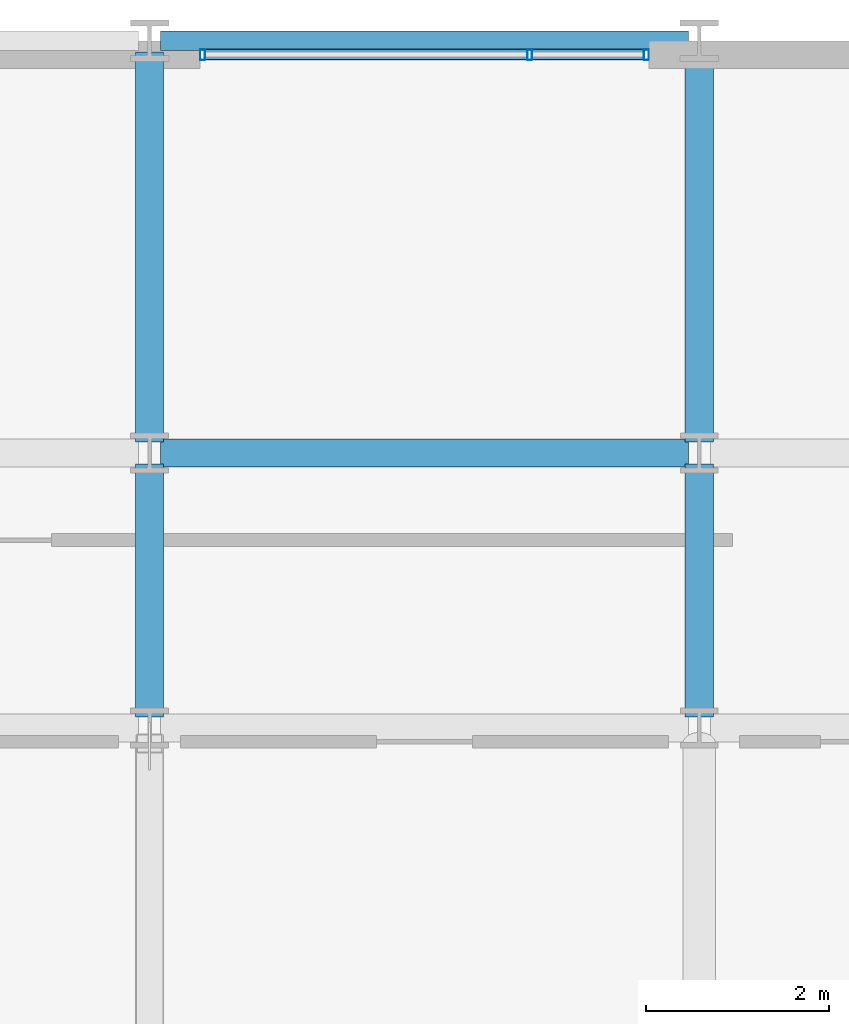
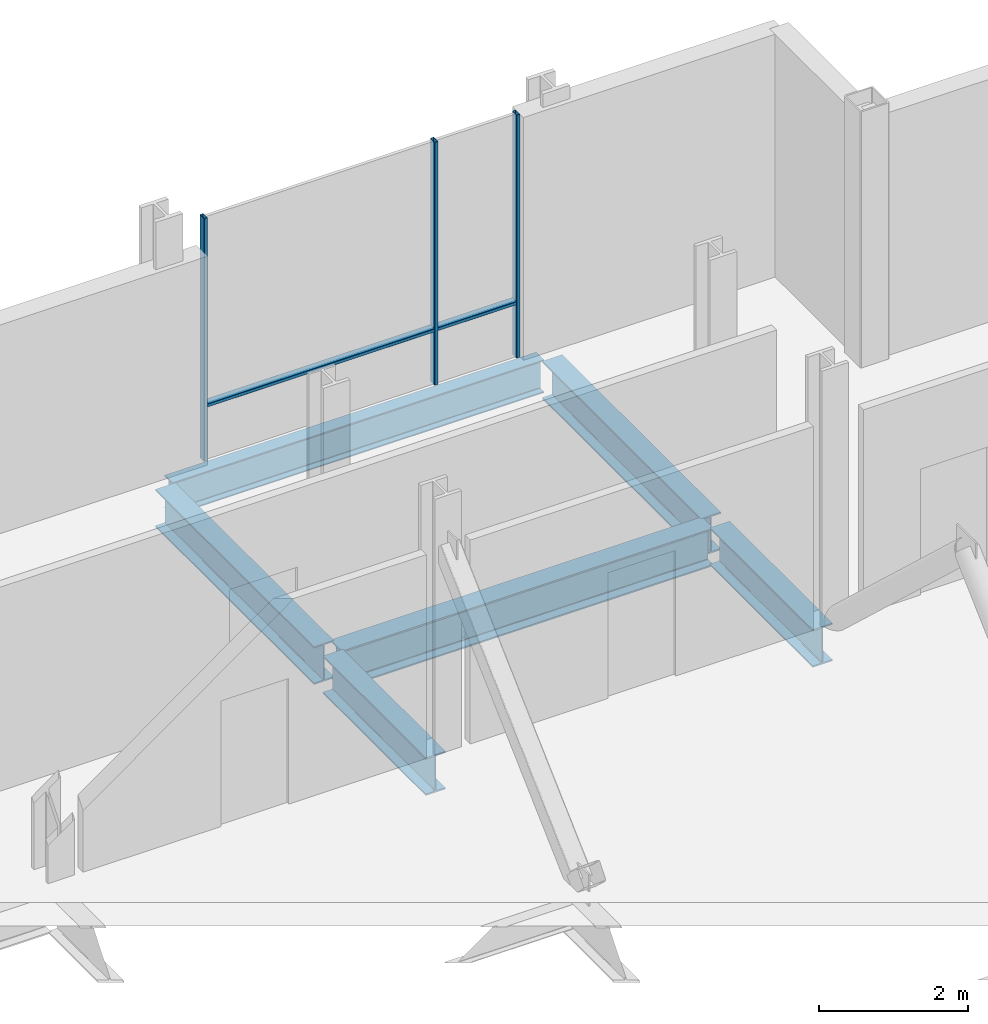
# One storey, part 22 of 32: 6 beams, 5 members, 1 element without a shape of its own.
"""IFC4 building model written with IfcOpenShell, lengths in metres."""

from ifc_helpers import new_model, si_unit, direction, frame, origin, origin_2d, place, context, subcontext, project, spatial, hollow_rectangle, i_section, extrude, material, layer, layer_set, material_profile, profile_set, type_object, element, aggregate, save


model = new_model("IFC4")

# Units and contexts
model_context = context("Model", 3, precision=1e-05, world=origin(), true_north=direction((0.0, 1.0)))
body_context = subcontext(model_context, "Body", "Model", "MODEL_VIEW")
ifc_project = project(units=[si_unit("LENGTHUNIT", "METRE"), si_unit("AREAUNIT", "SQUARE_METRE"), si_unit("VOLUMEUNIT", "CUBIC_METRE"), si_unit("PLANEANGLEUNIT", "RADIAN"), si_unit("MASSUNIT", "GRAM", prefix="KILO")], contexts=[model_context])

# Site, building, storey
site_placement = place(None, origin())
site = spatial("IfcSite", under=ifc_project, at=site_placement, CompositionType="ELEMENT")
building_placement = place(site_placement, origin())
building = spatial("IfcBuilding", under=site, at=building_placement, Name="Brevholm Reach", CompositionType="ELEMENT")
storey_placement = place(building_placement, frame((0.0, 0.0, 96.199951171875)))
storey = spatial("IfcBuildingStorey", under=building, at=storey_placement, Name="L28", CompositionType="ELEMENT", Elevation=96.199951171875)

# Beams
ifc_material_1 = material(Name="Structural Steel S355J2", Category="steel")
ifc_material_profile_1 = material_profile(ifc_material_1, i_section(OverallWidth=0.210693359375, OverallDepth=0.53955078125, WebThickness=0.01171875, FlangeThickness=0.018798828125, FilletRadius=0.0126953125, at=origin_2d()), Name="UKB 533x210x109")
ifc_profile_set_1 = profile_set([ifc_material_profile_1], Name="Structural Steel S355J2")
beam_type_1 = type_object("IfcBeamType", Name="BM-SP539", PredefinedType="SPANDREL", material=ifc_profile_set_1)
beam_1_placement = place(storey_placement, frame((48.1201171875, 31.0, -0.52978515625), z_axis=(1.0, 0.0, 0.0), x_axis=(0.0, 1.0, 0.0)))
element("IfcBeam", 1, at=beam_1_placement, inside=storey, type_object=beam_type_1, Name="L28 SP-01B Framing Beam", PredefinedType="SPANDREL", context=body_context, shape_type="SweptSolid", body=[
    extrude(i_section(OverallWidth=0.210693359375, OverallDepth=0.53955078125, WebThickness=0.01171875, FlangeThickness=0.018798828125, FilletRadius=0.0126953125, at=origin_2d()), origin(), (0.0, 0.0, 1.0), 5.759765625),
])
ifc_material_2 = material(Name="Structural Steel S355J2", Category="steel")
ifc_material_profile_2 = material_profile(ifc_material_2, i_section(OverallWidth=0.30712890625, OverallDepth=0.6201171875, WebThickness=0.01416015625, FlangeThickness=0.023681640625, FilletRadius=0.0166015625, at=origin_2d()), Name="UKB 610x305x179")
ifc_profile_set_2 = profile_set([ifc_material_profile_2], Name="Structural Steel S355J2")
beam_type_2 = type_object("IfcBeamType", Name="BM-UKB610H", PredefinedType="USERDEFINED", material=ifc_profile_set_2)
beam_2_placement = place(storey_placement, frame((48.1201171875, 26.5, -0.570068359375), z_axis=(1.0, 0.0, 0.0), x_axis=(0.0, 1.0, 0.0)))
element("IfcBeam", 2, at=beam_2_placement, inside=storey, type_object=beam_type_2, Name="L28 G-06 Framing Beam", ObjectType="GIRDER", PredefinedType="USERDEFINED", context=body_context, shape_type="SweptSolid", body=[
    extrude(i_section(OverallWidth=0.30712890625, OverallDepth=0.6201171875, WebThickness=0.01416015625, FlangeThickness=0.023681640625, FilletRadius=0.0166015625, at=origin_2d()), origin(), (0.0, 0.0, 1.0), 5.759765625),
])
beam_3_placement = place(storey_placement, frame((48.0, 23.6201171875, -0.570068359375), z_axis=(0.0, 1.0, 0.0), x_axis=(-1.0, 0.0, 0.0)))
element("IfcBeam", 3, at=beam_3_placement, inside=storey, type_object=beam_type_2, Name="L28 G-06 Framing Beam", ObjectType="GIRDER", PredefinedType="USERDEFINED", context=body_context, shape_type="SweptSolid", body=[
    extrude(i_section(OverallWidth=0.30712890625, OverallDepth=0.6201171875, WebThickness=0.01416015625, FlangeThickness=0.023681640625, FilletRadius=0.0166015625, at=origin_2d()), origin(), (0.0, 0.0, 1.0), 2.759765625),
])
beam_4_placement = place(storey_placement, frame((48.0, 26.6201171875, -0.570068359375), z_axis=(0.0, 1.0, 0.0), x_axis=(-1.0, 0.0, 0.0)))
element("IfcBeam", 4, at=beam_4_placement, inside=storey, type_object=beam_type_2, Name="L28 G-06 Framing Beam", ObjectType="GIRDER", PredefinedType="USERDEFINED", context=body_context, shape_type="SweptSolid", body=[
    extrude(i_section(OverallWidth=0.30712890625, OverallDepth=0.6201171875, WebThickness=0.01416015625, FlangeThickness=0.023681640625, FilletRadius=0.0166015625, at=origin_2d()), origin(), (0.0, 0.0, 1.0), 4.259765625),
])
beam_5_placement = place(storey_placement, frame((54.0, 23.6201171875, -0.570068359375), z_axis=(0.0, 1.0, 0.0), x_axis=(-1.0, 0.0, 0.0)))
element("IfcBeam", 5, at=beam_5_placement, inside=storey, type_object=beam_type_2, Name="L28 G-06 Framing Beam", ObjectType="GIRDER", PredefinedType="USERDEFINED", context=body_context, shape_type="SweptSolid", body=[
    extrude(i_section(OverallWidth=0.30712890625, OverallDepth=0.6201171875, WebThickness=0.01416015625, FlangeThickness=0.023681640625, FilletRadius=0.0166015625, at=origin_2d()), origin(), (0.0, 0.0, 1.0), 2.759765625),
])
beam_6_placement = place(storey_placement, frame((54.0, 26.6201171875, -0.570068359375), z_axis=(0.0, 1.0, 0.0), x_axis=(-1.0, 0.0, 0.0)))
element("IfcBeam", 6, at=beam_6_placement, inside=storey, type_object=beam_type_2, Name="L28 G-06 Framing Beam", ObjectType="GIRDER", PredefinedType="USERDEFINED", context=body_context, shape_type="SweptSolid", body=[
    extrude(i_section(OverallWidth=0.30712890625, OverallDepth=0.6201171875, WebThickness=0.01416015625, FlangeThickness=0.023681640625, FilletRadius=0.0166015625, at=origin_2d()), origin(), (0.0, 0.0, 1.0), 4.259765625),
])

# Curtain wall, members
ifc_material_3 = material(Name="Dark Anodised Aluminium 6063-T6 and Solar-Control Glass", Category="aluminium")
ifc_layer = layer(ifc_material_3, 0.1201171875)
ifc_layer_set = layer_set([ifc_layer], Name="Dark Anodised Aluminium 6063-T6 and Solar-Control Glass")
curtain_wall_type = type_object("IfcCurtainWallType", Name="CW-06", PredefinedType="NOTDEFINED", material=ifc_layer_set)
curtain_wall_placement = place(storey_placement, origin())
curtain_wall = element("IfcCurtainWall", 7, at=curtain_wall_placement, inside=storey, type_object=curtain_wall_type, Name="L28 Curtain Wall CW-06", PredefinedType="NOTDEFINED")
ifc_material_4 = material(Name="Dark Anodised Aluminium 6063-T6", Category="aluminium")
ifc_material_profile_3 = material_profile(ifc_material_4, hollow_rectangle(XDim=0.054931640625, YDim=0.1201171875, WallThickness=0.00390625, InnerFilletRadius=0.00390625, OuterFilletRadius=0.008056640625, at=origin_2d()), Name="RHS 120x55x4")
ifc_profile_set_3 = profile_set([ifc_material_profile_3], Name="Dark Anodised Aluminium 6063-T6")
member_type_1 = type_object("IfcMemberType", Name="CWM-120", PredefinedType="MULLION", material=ifc_profile_set_3)
member_1_placement = place(storey_placement, frame((48.577392578125, 30.85009765625, 0.0), z_axis=(0.0, 0.0, 1.0), x_axis=(1.0, 0.0, 0.0)))
member_1 = element("IfcMember", 8, at=member_1_placement, type_object=member_type_1, Name="CM-120 Mullion 1", PredefinedType="MULLION", context=body_context, shape_type="SweptSolid", body=[
    extrude(hollow_rectangle(XDim=0.054931640625, YDim=0.1201171875, WallThickness=0.00390625, InnerFilletRadius=0.00390625, OuterFilletRadius=0.008056640625, at=origin_2d()), origin(), (0.0, 0.0, 1.0), 3.97998046875),
])
member_2_placement = place(storey_placement, frame((52.14990234375, 30.85009765625, 0.0), z_axis=(0.0, 0.0, 1.0), x_axis=(1.0, 0.0, 0.0)))
member_2 = element("IfcMember", 9, at=member_2_placement, type_object=member_type_1, Name="CM-120 Mullion 2", PredefinedType="MULLION", context=body_context, shape_type="SweptSolid", body=[
    extrude(hollow_rectangle(XDim=0.054931640625, YDim=0.1201171875, WallThickness=0.00390625, InnerFilletRadius=0.00390625, OuterFilletRadius=0.008056640625, at=origin_2d()), origin(), (0.0, 0.0, 1.0), 3.97998046875),
])
member_3_placement = place(storey_placement, frame((53.422607421875, 30.85009765625, 0.0), z_axis=(0.0, 0.0, 1.0), x_axis=(1.0, 0.0, 0.0)))
member_3 = element("IfcMember", 10, at=member_3_placement, type_object=member_type_1, Name="CM-120 Mullion 3", PredefinedType="MULLION", context=body_context, shape_type="SweptSolid", body=[
    extrude(hollow_rectangle(XDim=0.054931640625, YDim=0.1201171875, WallThickness=0.00390625, InnerFilletRadius=0.00390625, OuterFilletRadius=0.008056640625, at=origin_2d()), origin(), (0.0, 0.0, 1.0), 3.97998046875),
])
ifc_material_5 = material(Name="Dark Anodised Aluminium 6063-T6", Category="aluminium")
ifc_material_profile_4 = material_profile(ifc_material_5, hollow_rectangle(XDim=0.054931640625, YDim=0.1201171875, WallThickness=0.00390625, InnerFilletRadius=0.00390625, OuterFilletRadius=0.008056640625, at=origin_2d()), Name="RHS 120x55x4")
ifc_profile_set_4 = profile_set([ifc_material_profile_4], Name="Dark Anodised Aluminium 6063-T6")
member_type_2 = type_object("IfcMemberType", Name="CWT-120", PredefinedType="NOTDEFINED", material=ifc_profile_set_4)
member_4_placement = place(storey_placement, frame((48.60498046875, 30.85009765625, 0.900146484375), z_axis=(1.0, 0.0, 0.0), x_axis=(0.0, 0.0, 1.0)))
member_4 = element("IfcMember", 11, at=member_4_placement, type_object=member_type_2, Name="CT-120 Transom 1.1", ObjectType="TRANSOM", PredefinedType="USERDEFINED", context=body_context, shape_type="SweptSolid", body=[
    extrude(hollow_rectangle(XDim=0.054931640625, YDim=0.1201171875, WallThickness=0.00390625, InnerFilletRadius=0.00390625, OuterFilletRadius=0.008056640625, at=origin_2d()), origin(), (0.0, 0.0, 1.0), 3.517578125),
])
member_5_placement = place(storey_placement, frame((52.177490234375, 30.85009765625, 0.900146484375), z_axis=(1.0, 0.0, 0.0), x_axis=(0.0, 0.0, 1.0)))
member_5 = element("IfcMember", 12, at=member_5_placement, type_object=member_type_2, Name="CT-120 Transom 2.1", ObjectType="TRANSOM", PredefinedType="USERDEFINED", context=body_context, shape_type="SweptSolid", body=[
    extrude(hollow_rectangle(XDim=0.054931640625, YDim=0.1201171875, WallThickness=0.00390625, InnerFilletRadius=0.00390625, OuterFilletRadius=0.008056640625, at=origin_2d()), origin(), (0.0, 0.0, 1.0), 1.217529296875),
])
aggregate(curtain_wall, [member_1, member_2, member_3, member_4, member_5])

save(model, "model.ifc")
